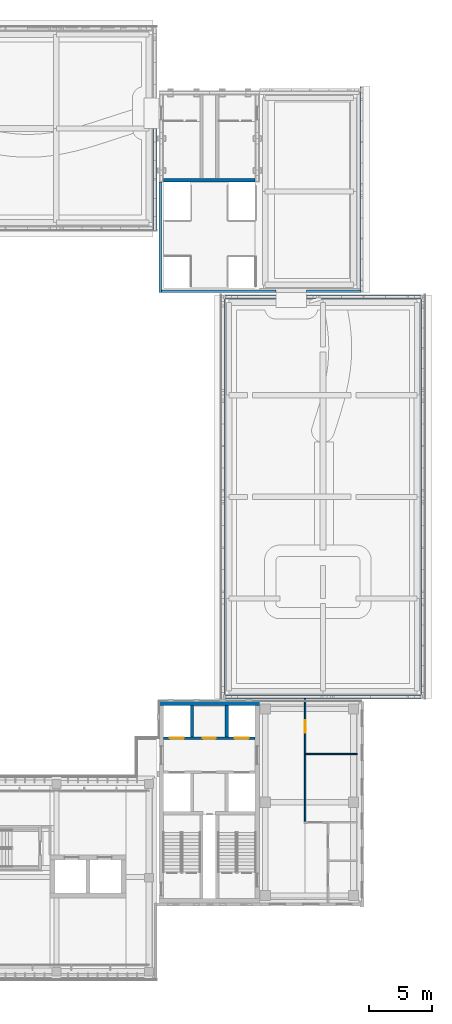
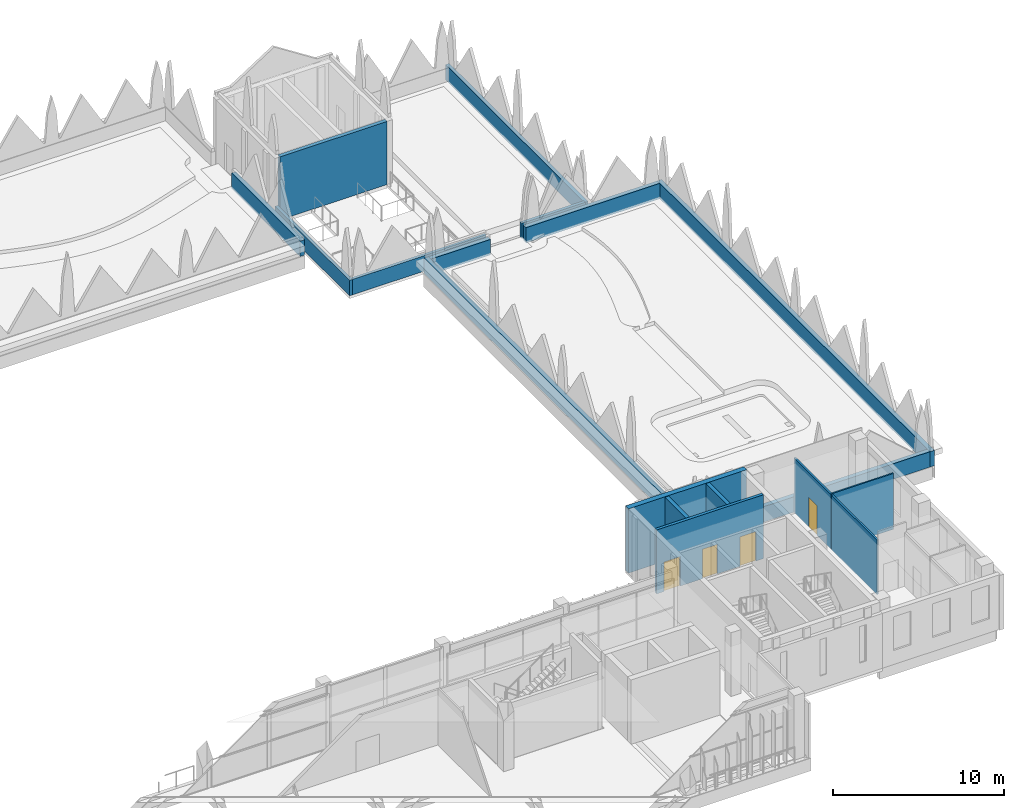
# One storey, part 27 of 46: 17 walls, 4 doors, 4 openings.
"""IFC4 building model written with IfcOpenShell, lengths in metres."""

from ifc_helpers import new_model, si_unit, direction, frame, frame_2d, origin, place, context, subcontext, project, spatial, rectangle, extrude, material, layer, layer_set, type_object, element, fill, save


model = new_model("IFC4")

# Units and contexts
model_context = context("Model", 3, precision=1e-05, world=origin(), true_north=direction((0.0, 1.0)))
body_context = subcontext(model_context, "Body", "Model", "MODEL_VIEW")
ifc_project = project(units=[si_unit("LENGTHUNIT", "METRE"), si_unit("AREAUNIT", "SQUARE_METRE"), si_unit("VOLUMEUNIT", "CUBIC_METRE"), si_unit("PLANEANGLEUNIT", "RADIAN"), si_unit("MASSUNIT", "GRAM", prefix="KILO")], contexts=[model_context])

# Site, building, storey
site_placement = place(None, origin())
site = spatial("IfcSite", under=ifc_project, at=site_placement, CompositionType="ELEMENT")
building_placement = place(site_placement, origin())
building = spatial("IfcBuilding", under=site, at=building_placement, Name="Lantern Court Media Centre", CompositionType="ELEMENT")
storey_placement = place(building_placement, frame((0.0, 0.0, 28.800048828125)))
storey = spatial("IfcBuildingStorey", under=building, at=storey_placement, Name="L06", CompositionType="ELEMENT", Elevation=28.800048828125)

# Wall, opening, door
ifc_material_1 = material(Name="Gypsum board partition")
ifc_layer_1 = layer(ifc_material_1, 0.125)
ifc_layer_set_1 = layer_set([ifc_layer_1], Name="Gypsum board partition")
wall_type_1 = type_object("IfcWallType", Name="Corridor partition 125", PredefinedType="PARTITIONING", material=ifc_layer_set_1)
wall_1_placement = place(storey_placement, frame((91.60009765625, 54.426513671875, 0.0), z_axis=(0.0, 0.0, 1.0), x_axis=(0.0, 1.0, 0.0)))
wall_1 = element("IfcWall", 1, at=wall_1_placement, inside=storey, type_object=wall_type_1, Name="L06 partition 023", PredefinedType="PARTITIONING", context=body_context, shape_type="SweptSolid", body=[
    extrude(rectangle(XDim=9.673583984375, YDim=0.125, at=frame_2d((4.8369140625, 0.0))), origin(), (0.0, 0.0, 1.0), 3.8798828125),
])
opening_1_placement = place(wall_1_placement, frame((6.989501953125, 0.0, 0.0)))
opening_1 = element("IfcOpeningElement", 2, at=opening_1_placement, cuts=wall_1, Name="Opening L06-014", PredefinedType="OPENING", context=body_context, shape_type="SweptSolid", body=[
    extrude(rectangle(XDim=1.0, YDim=2.10009765625, at=frame_2d((0.5, 1.050048828125))), frame((0.0, 0.072509765625, 0.0), z_axis=(0.0, -1.0, 0.0), x_axis=(1.0, 0.0, 0.0)), (0.0, 0.0, 1.0), 0.14501953125),
])
ifc_material_2 = material(Name="Solid-core timber door leaf", Category="wood")
door_type_1 = type_object("IfcDoorType", Name="Single door 1000x2100", OperationType="NOTDEFINED", PredefinedType="DOOR", material=ifc_material_2)
door_1_placement = place(opening_1_placement, frame((1.0, 0.0, 0.0), z_axis=(0.0, 0.0, 1.0), x_axis=(-1.0, 0.0, 0.0)))
door_1 = element("IfcDoor", 3, at=door_1_placement, inside=storey, type_object=door_type_1, Name="L06 Cafe Kitchen door", OperationType="SINGLE_SWING_LEFT", OverallHeight=2.10009765625, OverallWidth=1.0, PredefinedType="DOOR", context=body_context, shape_type="SweptSolid", body=[
    extrude(rectangle(XDim=1.0, YDim=2.10009765625, at=frame_2d((0.5, 1.050048828125))), frame((0.0, 0.02490234375, 0.0), z_axis=(0.0, -1.0, 0.0), x_axis=(1.0, 0.0, 0.0)), (0.0, 0.0, 1.0), 0.050048828125),
])
fill(opening_1, door_1)

# Wall, openings, doors
ifc_material_3 = material(Name="Concrete C40", Category="concrete")
ifc_layer_2 = layer(ifc_material_3, 0.199951171875)
ifc_layer_set_2 = layer_set([ifc_layer_2], Name="Concrete C40")
wall_type_2 = type_object("IfcWallType", Name="Fire lobby wall 200", PredefinedType="SOLIDWALL", material=ifc_layer_set_2)
wall_2_placement = place(storey_placement, frame((87.64990234375, 61.0, 0.0), z_axis=(0.0, 0.0, 1.0), x_axis=(-1.0, 0.0, 0.0)))
wall_2 = element("IfcWall", 4, at=wall_2_placement, inside=storey, type_object=wall_type_2, Name="L06 SE FW2", PredefinedType="SOLIDWALL", context=body_context, shape_type="SweptSolid", body=[
    extrude(rectangle(XDim=7.199951171875, YDim=0.199951171875, at=frame_2d((3.60009765625, 0.0))), origin(), (0.0, 0.0, 1.0), 4.550048828125),
])
opening_2_placement = place(wall_2_placement, frame((0.5, 0.0, 0.0)))
opening_2 = element("IfcOpeningElement", 5, at=opening_2_placement, cuts=wall_2, Name="Opening LD-SEP2-L06", PredefinedType="OPENING", context=body_context, shape_type="SweptSolid", body=[
    extrude(rectangle(XDim=1.10009765625, YDim=2.10009765625, at=frame_2d((0.550048828125, 1.050048828125))), frame((0.0, 0.10986328125, 0.0), z_axis=(0.0, -1.0, 0.0), x_axis=(1.0, 0.0, 0.0)), (0.0, 0.0, 1.0), 0.219970703125),
])
opening_3_placement = place(wall_2_placement, frame((5.60009765625, 0.0, 0.0)))
opening_3 = element("IfcOpeningElement", 6, at=opening_3_placement, cuts=wall_2, Name="Opening LD-SEP3-L06", PredefinedType="OPENING", context=body_context, shape_type="SweptSolid", body=[
    extrude(rectangle(XDim=1.10009765625, YDim=2.10009765625, at=frame_2d((0.550048828125, 1.050048828125))), frame((0.0, 0.10986328125, 0.0), z_axis=(0.0, -1.0, 0.0), x_axis=(1.0, 0.0, 0.0)), (0.0, 0.0, 1.0), 0.219970703125),
])
opening_4_placement = place(wall_2_placement, frame((3.10009765625, 0.0, 0.0)))
opening_4 = element("IfcOpeningElement", 7, at=opening_4_placement, cuts=wall_2, Name="Opening SE-L06-04", PredefinedType="OPENING", context=body_context, shape_type="SweptSolid", body=[
    extrude(rectangle(XDim=1.0, YDim=2.10009765625, at=frame_2d((0.5, 1.050048828125))), frame((0.0, 0.10986328125, 0.0), z_axis=(0.0, -1.0, 0.0), x_axis=(1.0, 0.0, 0.0)), (0.0, 0.0, 1.0), 0.219970703125),
])
ifc_material_4 = material(Name="Steel door leaf", Category="steel")
door_type_2 = type_object("IfcDoorType", Name="Lift landing door 1100x2100", OperationType="DOUBLE_DOOR_SLIDING", PredefinedType="DOOR", material=ifc_material_4)
door_2_placement = place(opening_2_placement, origin())
door_2 = element("IfcDoor", 8, at=door_2_placement, inside=storey, type_object=door_type_2, Name="L06 SE lift P2 landing door", OperationType="DOUBLE_DOOR_SLIDING", OverallHeight=2.10009765625, OverallWidth=1.10009765625, PredefinedType="DOOR", context=body_context, shape_type="SweptSolid", body=[
    extrude(rectangle(XDim=1.10009765625, YDim=2.10009765625, at=frame_2d((0.550048828125, 1.050048828125))), frame((0.0, 0.02490234375, 0.0), z_axis=(0.0, -1.0, 0.0), x_axis=(1.0, 0.0, 0.0)), (0.0, 0.0, 1.0), 0.050048828125),
])
fill(opening_2, door_2)
door_3_placement = place(opening_3_placement, origin())
door_3 = element("IfcDoor", 9, at=door_3_placement, inside=storey, type_object=door_type_2, Name="L06 SE lift P3 landing door", OperationType="DOUBLE_DOOR_SLIDING", OverallHeight=2.10009765625, OverallWidth=1.10009765625, PredefinedType="DOOR", context=body_context, shape_type="SweptSolid", body=[
    extrude(rectangle(XDim=1.10009765625, YDim=2.10009765625, at=frame_2d((0.550048828125, 1.050048828125))), frame((0.0, 0.02490234375, 0.0), z_axis=(0.0, -1.0, 0.0), x_axis=(1.0, 0.0, 0.0)), (0.0, 0.0, 1.0), 0.050048828125),
])
fill(opening_3, door_3)
door_type_3 = type_object("IfcDoorType", Name="Service door 1000x2100", OperationType="NOTDEFINED", PredefinedType="DOOR", material=ifc_material_4)
door_4_placement = place(opening_4_placement, origin())
door_4 = element("IfcDoor", 10, at=door_4_placement, inside=storey, type_object=door_type_3, Name="L06 SE accessible WC door", OperationType="SINGLE_SWING_RIGHT", OverallHeight=2.10009765625, OverallWidth=1.0, PredefinedType="DOOR", context=body_context, shape_type="SweptSolid", body=[
    extrude(rectangle(XDim=1.0, YDim=2.10009765625, at=frame_2d((0.5, 1.050048828125))), frame((0.0, 0.02490234375, 0.0), z_axis=(0.0, -1.0, 0.0), x_axis=(1.0, 0.0, 0.0)), (0.0, 0.0, 1.0), 0.050048828125),
])
fill(opening_4, door_4)

# Walls
ifc_material_5 = material(Name="Honed limestone cladding on blockwork", Category="masonry")
ifc_layer_3 = layer(ifc_material_5, 0.25)
ifc_layer_set_3 = layer_set([ifc_layer_3], Name="Honed limestone cladding on blockwork")
wall_type_3 = type_object("IfcWallType", Name="Limestone parapet wall 250", PredefinedType="PARAPET", material=ifc_layer_set_3)
wall_3_placement = place(storey_placement, frame((96.044921875, 96.10009765625, 0.0), z_axis=(0.0, 0.0, 1.0), x_axis=(0.0, 1.0, 0.0)))
element("IfcWall", 11, at=wall_3_placement, inside=storey, type_object=wall_type_3, Name="Limestone parapet NE E", PredefinedType="PARAPET", context=body_context, shape_type="SweptSolid", body=[
    extrude(rectangle(XDim=16.199951171875, YDim=0.25, at=frame_2d((8.10009765625, 0.0))), origin(), (0.0, 0.0, 1.0), 1.099853515625),
])
ifc_layer_4 = layer(ifc_material_1, 0.10009765625)
ifc_layer_set_4 = layer_set([ifc_layer_4], Name="Gypsum board partition")
wall_type_4 = type_object("IfcWallType", Name="Partition 100", PredefinedType="PARTITIONING", material=ifc_layer_set_4)
wall_4_placement = place(storey_placement, frame((91.53759765625, 59.742919921875, 0.0), z_axis=(0.0, 0.0, 1.0), x_axis=(1.0, 0.0, 0.0)))
element("IfcWall", 12, at=wall_4_placement, inside=storey, type_object=wall_type_4, Name="L06 partition 026", PredefinedType="PARTITIONING", context=body_context, shape_type="SweptSolid", body=[
    extrude(rectangle(XDim=4.162353515625, YDim=0.10009765625, at=frame_2d((2.0810546875, 0.0))), origin(), (0.0, 0.0, 1.0), 3.97998046875),
])
ifc_layer_5 = layer(ifc_material_3, 0.35009765625)
ifc_layer_set_5 = layer_set([ifc_layer_5], Name="Concrete C40")
wall_type_5 = type_object("IfcWallType", Name="RC CORE WALL 350", PredefinedType="SHEAR", material=ifc_layer_set_5)
wall_5_placement = place(storey_placement, frame((80.10009765625, 63.72509765625, 0.0), z_axis=(0.0, 0.0, 1.0), x_axis=(1.0, 0.0, 0.0)))
element("IfcWall", 13, at=wall_5_placement, inside=storey, type_object=wall_type_5, Name="WC-SE-L06-N", PredefinedType="SHEAR", context=body_context, shape_type="SweptSolid", body=[
    extrude(rectangle(XDim=7.949951171875, YDim=0.35009765625, at=frame_2d((3.97509765625, 0.0))), origin(), (0.0, 0.0, 1.0), 4.579833984375),
])
ifc_layer_6 = layer(ifc_material_3, 0.25)
ifc_layer_set_6 = layer_set([ifc_layer_6], Name="Concrete C40")
wall_type_6 = type_object("IfcWallType", Name="RC lift shaft wall 250", PredefinedType="SOLIDWALL", material=ifc_layer_set_6)
for number, where, z_axis, x_axis, name in (
    (14, (85.425048828125, 61.10009765625, 0.0), (0.0, 0.0, 1.0), (0.0, 1.0, 0.0), "L06 SE L1b"),
    (15, (82.675048828125, 61.10009765625, 0.0), (0.0, 0.0, 1.0), (0.0, 1.0, 0.0), "L06 SE L2b"),
):
    element("IfcWall", number, at=place(storey_placement, frame(where, z_axis=z_axis, x_axis=x_axis)), inside=storey, type_object=wall_type_6, Name=name, PredefinedType="SOLIDWALL", context=body_context, shape_type="SweptSolid", body=[
        extrude(rectangle(XDim=2.449951171875, YDim=0.25, at=frame_2d((1.22509765625, 0.0))), origin(), (0.0, 0.0, 1.0), 4.550048828125),
    ])
ifc_layer_7 = layer(ifc_material_3, 0.25)
ifc_layer_set_7 = layer_set([ifc_layer_7], Name="Concrete C40")
wall_type_7 = type_object("IfcWallType", Name="RC stair shaft wall 250", PredefinedType="SOLIDWALL", material=ifc_layer_set_7)
wall_6_placement = place(storey_placement, frame((87.64990234375, 104.925048828125, 0.0), z_axis=(0.0, 0.0, 1.0), x_axis=(-1.0, 0.0, 0.0)))
element("IfcWall", 16, at=wall_6_placement, inside=storey, type_object=wall_type_7, Name="L06 NE SN", PredefinedType="SOLIDWALL", context=body_context, shape_type="SweptSolid", body=[
    extrude(rectangle(XDim=7.199951171875, YDim=0.25, at=frame_2d((3.60009765625, 0.0))), origin(), (0.0, 0.0, 1.0), 4.5),
])
ifc_layer_8 = layer(ifc_material_5, 0.199951171875)
ifc_layer_set_8 = layer_set([ifc_layer_8], Name="Honed limestone cladding on blockwork")
wall_type_8 = type_object("IfcWallType", Name="Roof parapet 200", PredefinedType="PARAPET", material=ifc_layer_set_8)
wall_7_placement = place(storey_placement, frame((80.199951171875, 96.10009765625, 0.0), z_axis=(0.0, 0.0, 1.0), x_axis=(0.0, 1.0, 0.0)))
element("IfcWall", 17, at=wall_7_placement, inside=storey, type_object=wall_type_8, Name="Roof parapet PP-NE", PredefinedType="PARAPET", context=body_context, shape_type="SweptSolid", body=[
    extrude(rectangle(XDim=8.699951171875, YDim=0.199951171875, at=frame_2d((4.35009765625, 0.0))), origin(), (0.0, 0.0, 1.0), 1.099853515625),
])
wall_8_placement = place(storey_placement, frame((80.300048828125, 96.199951171875, 0.0), z_axis=(0.0, 0.0, 1.0), x_axis=(1.0, 0.0, 0.0)))
element("IfcWall", 18, at=wall_8_placement, inside=storey, type_object=wall_type_8, Name="Roof parapet PP-NE", PredefinedType="PARAPET", context=body_context, shape_type="SweptSolid", body=[
    extrude(rectangle(XDim=9.0, YDim=0.199951171875, at=frame_2d((4.5, 0.0))), origin(), (0.0, 0.0, 1.0), 1.099853515625),
])
wall_9_placement = place(storey_placement, frame((91.699951171875, 96.199951171875, 0.0), z_axis=(0.0, 0.0, 1.0), x_axis=(1.0, 0.0, 0.0)))
element("IfcWall", 19, at=wall_9_placement, inside=storey, type_object=wall_type_8, Name="Roof parapet PP-NE", PredefinedType="PARAPET", context=body_context, shape_type="SweptSolid", body=[
    extrude(rectangle(XDim=4.300048828125, YDim=0.199951171875, at=frame_2d((2.14990234375, 0.0))), origin(), (0.0, 0.0, 1.0), 1.099853515625),
])
ifc_material_6 = material(Name="Insulated rendered blockwork", Category="masonry")
ifc_layer_9 = layer(ifc_material_6, 0.300048828125)
ifc_layer_set_9 = layer_set([ifc_layer_9], Name="Insulated rendered blockwork")
wall_type_9 = type_object("IfcWallType", Name="Roof parapet 300", PredefinedType="PARAPET", material=ifc_layer_set_9)
wall_10_placement = place(storey_placement, frame((79.75, 101.0, 0.0), z_axis=(0.0, 0.0, 1.0), x_axis=(0.0, 1.0, 0.0)))
element("IfcWall", 20, at=wall_10_placement, inside=storey, type_object=wall_type_9, Name="Roof parapet PP-N", PredefinedType="PARAPET", context=body_context, shape_type="SweptSolid", body=[
    extrude(rectangle(XDim=8.0, YDim=0.300048828125, at=frame_2d((4.0, 0.0))), origin(), (0.0, 0.0, 1.0), 1.099853515625),
])
for number, where, z_axis, x_axis, name in (
    (21, (85.14990234375, 64.10009765625, 0.0), (0.0, 0.0, 1.0), (0.0, 1.0, 0.0), "Roof parapet PP-E"),
    (22, (100.85009765625, 64.10009765625, 0.0), (0.0, 0.0, 1.0), (0.0, 1.0, 0.0), "Roof parapet PP-E"),
):
    element("IfcWall", number, at=place(storey_placement, frame(where, z_axis=z_axis, x_axis=x_axis)), inside=storey, type_object=wall_type_9, Name=name, PredefinedType="PARAPET", context=body_context, shape_type="SweptSolid", body=[
        extrude(rectangle(XDim=31.7998046875, YDim=0.300048828125, at=frame_2d((15.89990234375, 0.0))), origin(), (0.0, 0.0, 1.0), 1.099853515625),
    ])
wall_11_placement = place(storey_placement, frame((85.300048828125, 64.25, 0.0), z_axis=(0.0, 0.0, 1.0), x_axis=(1.0, 0.0, 0.0)))
element("IfcWall", 23, at=wall_11_placement, inside=storey, type_object=wall_type_9, Name="Roof parapet PP-E", PredefinedType="PARAPET", context=body_context, shape_type="SweptSolid", body=[
    extrude(rectangle(XDim=15.39990234375, YDim=0.300048828125, at=frame_2d((7.699951171875, 0.0))), origin(), (0.0, 0.0, 1.0), 1.099853515625),
])
wall_12_placement = place(storey_placement, frame((85.300048828125, 95.75, 0.0), z_axis=(0.0, 0.0, 1.0), x_axis=(1.0, 0.0, 0.0)))
element("IfcWall", 24, at=wall_12_placement, inside=storey, type_object=wall_type_9, Name="Roof parapet PP-E", PredefinedType="PARAPET", context=body_context, shape_type="SweptSolid", body=[
    extrude(rectangle(XDim=4.0, YDim=0.300048828125, at=frame_2d((2.0, 0.0))), origin(), (0.0, 0.0, 1.0), 1.099853515625),
])
wall_13_placement = place(storey_placement, frame((91.699951171875, 95.75, 0.0), z_axis=(0.0, 0.0, 1.0), x_axis=(1.0, 0.0, 0.0)))
element("IfcWall", 25, at=wall_13_placement, inside=storey, type_object=wall_type_9, Name="Roof parapet PP-E", PredefinedType="PARAPET", context=body_context, shape_type="SweptSolid", body=[
    extrude(rectangle(XDim=9.0, YDim=0.300048828125, at=frame_2d((4.5, 0.0))), origin(), (0.0, 0.0, 1.0), 1.099853515625),
])

save(model, "model.ifc")
